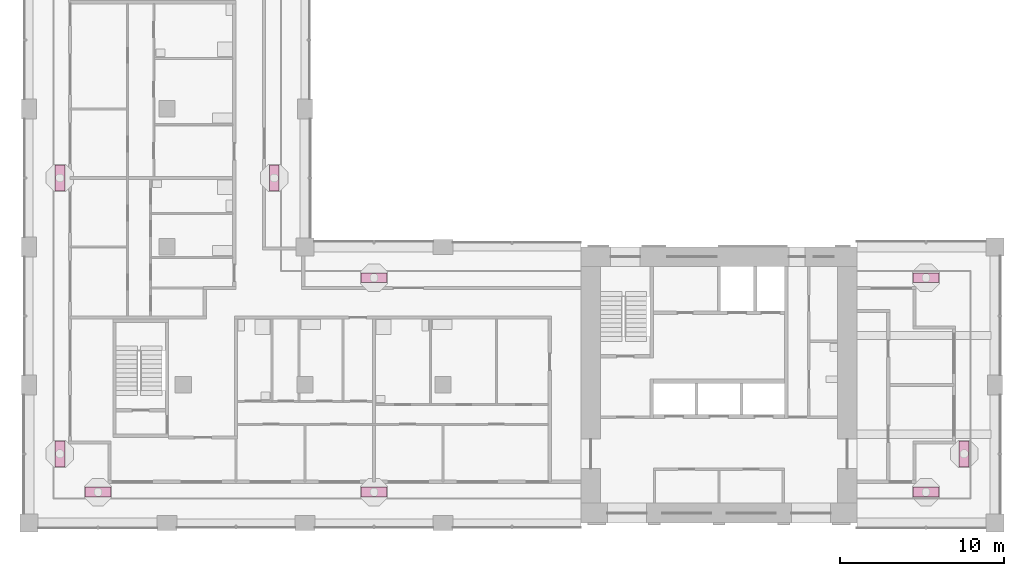
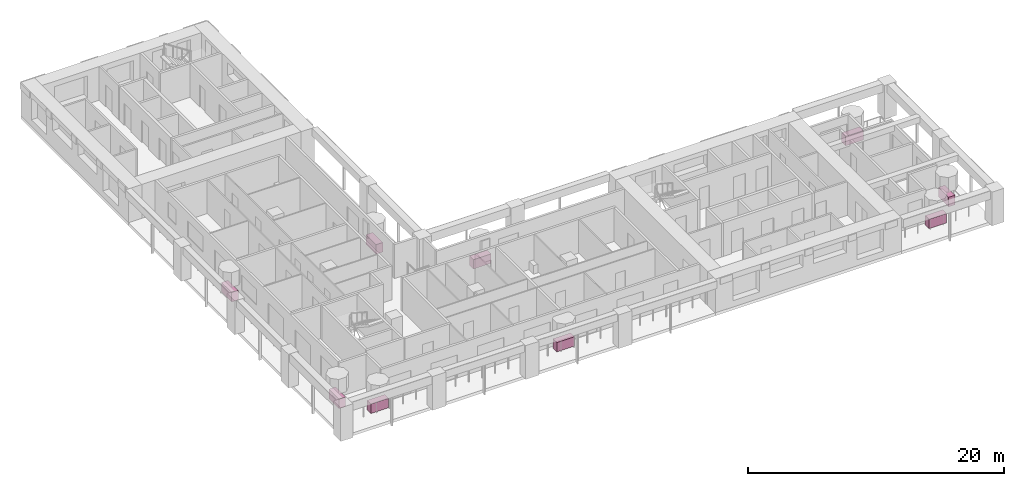
# One storey, part 12 of 13: 9 furniture elements.
"""IFC4 building model written with IfcOpenShell, lengths in metres."""

from ifc_helpers import new_model, si_unit, direction, frame, origin, origin_2d, place, context, subcontext, project, spatial, rectangle, extrude, material, element, save


model = new_model("IFC4")

# Units and contexts
model_context = context("Model", 3, precision=1e-05, world=origin(), true_north=direction((0.0, 1.0)))
body_context = subcontext(model_context, "Body", "Model", "MODEL_VIEW")
ifc_project = project(units=[si_unit("LENGTHUNIT", "METRE"), si_unit("AREAUNIT", "SQUARE_METRE"), si_unit("VOLUMEUNIT", "CUBIC_METRE"), si_unit("PLANEANGLEUNIT", "RADIAN"), si_unit("MASSUNIT", "GRAM", prefix="KILO")], contexts=[model_context])

# Site, building, storey
site_placement = place(None, origin())
site = spatial("IfcSite", under=ifc_project, at=site_placement, CompositionType="ELEMENT")
building_placement = place(site_placement, origin())
building = spatial("IfcBuilding", under=site, at=building_placement, Name="Vermilion Gate Residences", CompositionType="ELEMENT")
storey_placement = place(building_placement, frame((0.0, 0.0, 182.699951171875)))
storey = spatial("IfcBuildingStorey", under=building, at=storey_placement, Name="L47", CompositionType="ELEMENT", Elevation=182.699951171875)

# Furniture
ifc_material = material(Name="Terracotta planter", Category="masonry")
for number, where, z_axis, x_axis, name in (
    (1, (12.60009765625, 10.27490234375, 0.0), (0.0, 0.0, 1.0), (1.0, 0.0, 0.0), "PLANTER"),
    (2, (29.39990234375, 10.27490234375, 0.0), (0.0, 0.0, 1.0), (1.0, 0.0, 0.0), "PLANTER"),
    (3, (63.0, 10.27490234375, 0.0), (0.0, 0.0, 1.0), (1.0, 0.0, 0.0), "PLANTER"),
    (4, (65.324951171875, 12.60009765625, 0.0), (0.0, 0.0, 1.0), (0.0, 1.0, 0.0), "PLANTER"),
    (5, (29.39990234375, 23.324951171875, 0.0), (0.0, 0.0, 1.0), (-1.0, 0.0, 0.0), "PLANTER"),
    (6, (63.0, 23.324951171875, 0.0), (0.0, 0.0, 1.0), (-1.0, 0.0, 0.0), "PLANTER"),
    (7, (23.324951171875, 29.39990234375, 0.0), (0.0, 0.0, 1.0), (0.0, 1.0, 0.0), "PLANTER"),
    (8, (10.27490234375, 12.60009765625, 0.0), (0.0, 0.0, 1.0), (0.0, -1.0, 0.0), "PLANTER"),
    (9, (10.27490234375, 29.39990234375, 0.0), (0.0, 0.0, 1.0), (0.0, -1.0, 0.0), "PLANTER"),
):
    element("IfcFurniture", number, at=place(storey_placement, frame(where, z_axis=z_axis, x_axis=x_axis)), inside=storey, material=ifc_material, Name=name, ObjectType="PLANTER", PredefinedType="USERDEFINED", context=body_context, shape_type="SweptSolid", body=[
        extrude(rectangle(XDim=1.60009765625, YDim=0.60009765625, at=origin_2d()), origin(), (0.0, 0.0, 1.0), 0.89990234375),
    ])

save(model, "model.ifc")
